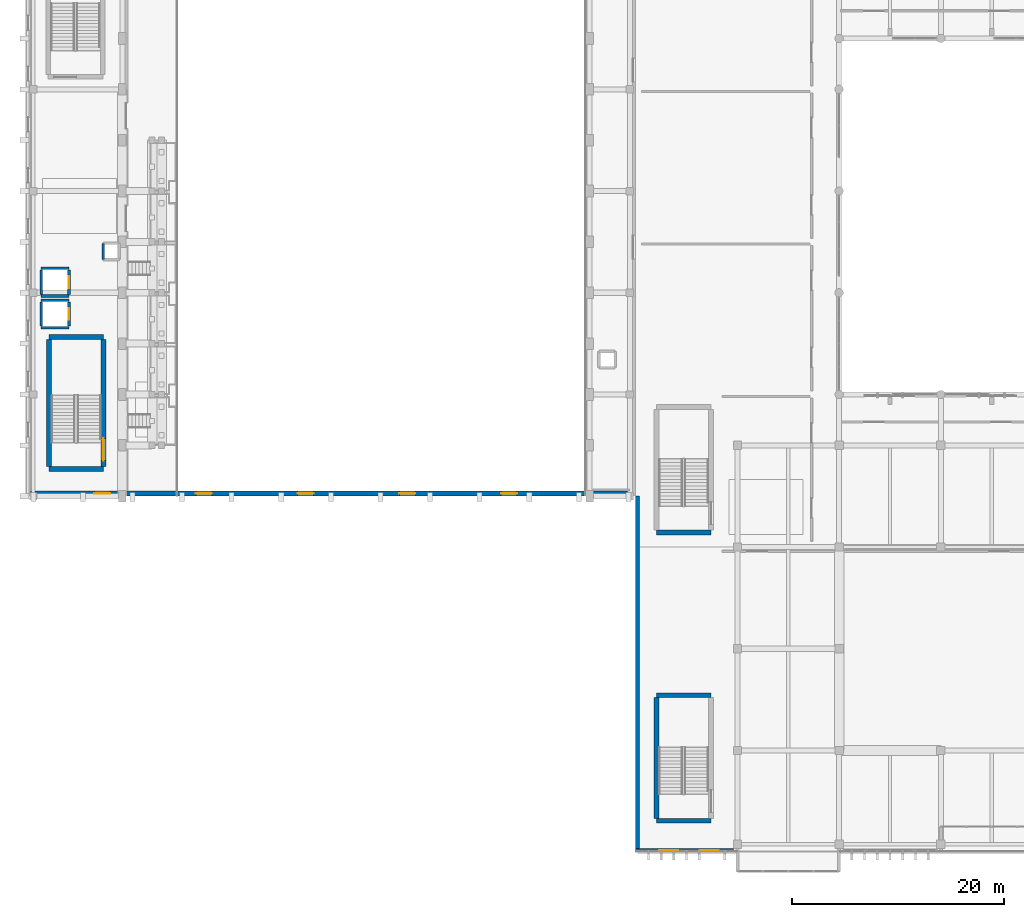
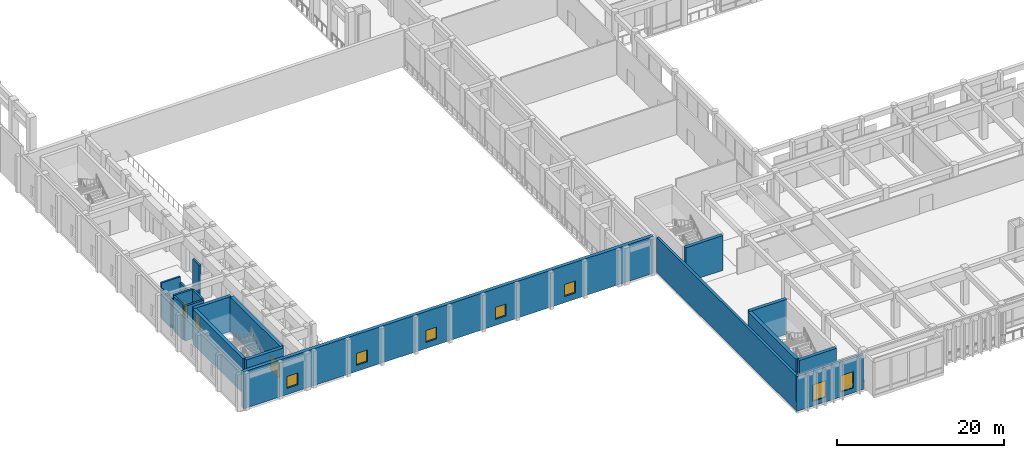
# One storey, part 101 of 134: 20 walls, 7 windows, 3 doors, 10 openings.
"""IFC4 building model written with IfcOpenShell, lengths in metres."""

from ifc_helpers import new_model, si_unit, direction, frame, frame_2d, origin, place, context, subcontext, project, spatial, rectangle, extrude, material, layer, layer_set, type_object, element, fill, save


model = new_model("IFC4")

# Units and contexts
model_context = context("Model", 3, precision=1e-05, world=origin(), true_north=direction((0.0, 1.0)))
body_context = subcontext(model_context, "Body", "Model", "MODEL_VIEW")
ifc_project = project(units=[si_unit("LENGTHUNIT", "METRE"), si_unit("AREAUNIT", "SQUARE_METRE"), si_unit("VOLUMEUNIT", "CUBIC_METRE"), si_unit("PLANEANGLEUNIT", "RADIAN"), si_unit("MASSUNIT", "GRAM", prefix="KILO")], contexts=[model_context])

# Site, building, storey
site_placement = place(None, origin())
site = spatial("IfcSite", under=ifc_project, at=site_placement, CompositionType="ELEMENT")
building_placement = place(site_placement, origin())
building = spatial("IfcBuilding", under=site, at=building_placement, Name="Nakhvara Creek Congress Hotel", CompositionType="ELEMENT")
storey_placement = place(building_placement, frame((0.0, 0.0, 6.0)))
storey = spatial("IfcBuildingStorey", under=building, at=storey_placement, Name="L01", CompositionType="ELEMENT", Elevation=6.0)

# Walls
ifc_material_1 = material(Name="Concrete C50/60", Category="concrete")
ifc_layer_1 = layer(ifc_material_1, 0.449951171875)
ifc_layer_set_1 = layer_set([ifc_layer_1], Name="Concrete C50/60")
wall_type_1 = type_object("IfcWallType", Name="W-CORE-450", PredefinedType="SHEAR", material=ifc_layer_set_1)
for number, where, z_axis, x_axis, name in (
    (1, (2.22998046875, 36.179931640625, 0.0), (0.0, 0.0, 1.0), (1.0, 0.0, 0.0), "Core Shear Wall WS02-CWALL-L01-0745"),
    (2, (2.22998046875, 48.6201171875, 0.0), (0.0, 0.0, 1.0), (1.0, 0.0, 0.0), "Core Shear Wall WS02-CWALL-L01-0746"),
):
    element("IfcWall", number, at=place(storey_placement, frame(where, z_axis=z_axis, x_axis=x_axis)), inside=storey, type_object=wall_type_1, Name=name, PredefinedType="SHEAR", context=body_context, shape_type="SweptSolid", body=[
        extrude(rectangle(XDim=5.14990234375, YDim=0.449951171875, at=frame_2d((2.574951171875, 0.0))), origin(), (0.0, 0.0, 1.0), 5.10009765625),
    ])
wall_1_placement = place(storey_placement, frame((2.22998046875, 36.39990234375, 0.0), z_axis=(0.0, 0.0, 1.0), x_axis=(0.0, 1.0, 0.0)))
element("IfcWall", 3, at=wall_1_placement, inside=storey, type_object=wall_type_1, Name="Core Shear Wall WS02-CWALL-L01-0747", PredefinedType="SHEAR", context=body_context, shape_type="SweptSolid", body=[
    extrude(rectangle(XDim=12.0, YDim=0.449951171875, at=frame_2d((6.0, 0.0))), origin(), (0.0, 0.0, 1.0), 5.10009765625),
])

# Wall, opening, door
wall_2_placement = place(storey_placement, frame((7.3798828125, 36.39990234375, 0.0), z_axis=(0.0, 0.0, 1.0), x_axis=(0.0, 1.0, 0.0)))
wall_2 = element("IfcWall", 4, at=wall_2_placement, inside=storey, type_object=wall_type_1, Name="Core Shear Wall WS02-CWALL-L01-0748", PredefinedType="SHEAR", context=body_context, shape_type="SweptSolid", body=[
    extrude(rectangle(XDim=12.0, YDim=0.449951171875, at=frame_2d((6.0, 0.0))), origin(), (0.0, 0.0, 1.0), 5.10009765625),
])
opening_1_placement = place(wall_2_placement, frame((0.550048828125, 0.0, 0.0)))
opening_1 = element("IfcOpeningElement", 5, at=opening_1_placement, cuts=wall_2, Name="Opening FD19", PredefinedType="OPENING", context=body_context, shape_type="SweptSolid", body=[
    extrude(rectangle(XDim=2.10009765625, YDim=2.199951171875, at=frame_2d((1.050048828125, 1.10009765625))), frame((0.0, 0.23681640625, 0.0), z_axis=(0.0, -1.0, 0.0), x_axis=(1.0, 0.0, 0.0)), (0.0, 0.0, 1.0), 0.473876953125),
])
ifc_material_2 = material(Name="Galvanised steel acoustic fire door", Category="steel")
door_type_1 = type_object("IfcDoorType", Name="DT-STAIR-220", OperationType="DOUBLE_DOOR_SINGLE_SWING", PredefinedType="DOOR", material=ifc_material_2)
door_1_placement = place(opening_1_placement, frame((2.10009765625, 0.0, 0.0), z_axis=(0.0, 0.0, 1.0), x_axis=(-1.0, 0.0, 0.0)))
door_1 = element("IfcDoor", 6, at=door_1_placement, inside=storey, type_object=door_type_1, Name="Stair Exit Door ST05-L01", OperationType="DOUBLE_DOOR_SINGLE_SWING", OverallHeight=2.199951171875, OverallWidth=2.10009765625, PredefinedType="DOOR", context=body_context, shape_type="SweptSolid", body=[
    extrude(rectangle(XDim=2.10009765625, YDim=2.199951171875, at=frame_2d((1.050048828125, 1.10009765625))), frame((0.0, 0.02490234375, 0.0), z_axis=(0.0, -1.0, 0.0), x_axis=(1.0, 0.0, 0.0)), (0.0, 0.0, 1.0), 0.050048828125),
])
fill(opening_1, door_1)

# Walls
for number, where, z_axis, x_axis, name in (
    (7, (59.550048828125, 2.97998046875, 0.0), (0.0, 0.0, 1.0), (1.0, 0.0, 0.0), "Core Shear Wall WS02-CWALL-L01-0947"),
    (8, (59.550048828125, 14.820068359375, 0.0), (0.0, 0.0, 1.0), (1.0, 0.0, 0.0), "Core Shear Wall WS02-CWALL-L01-0948"),
):
    element("IfcWall", number, at=place(storey_placement, frame(where, z_axis=z_axis, x_axis=x_axis)), inside=storey, type_object=wall_type_1, Name=name, PredefinedType="SHEAR", context=body_context, shape_type="SweptSolid", body=[
        extrude(rectangle(XDim=5.14990234375, YDim=0.449951171875, at=frame_2d((2.574951171875, 0.0))), origin(), (0.0, 0.0, 1.0), 5.10009765625),
    ])
wall_3_placement = place(storey_placement, frame((59.550048828125, 3.199951171875, 0.0), z_axis=(0.0, 0.0, 1.0), x_axis=(0.0, 1.0, 0.0)))
element("IfcWall", 9, at=wall_3_placement, inside=storey, type_object=wall_type_1, Name="Core Shear Wall WS02-CWALL-L01-0949", PredefinedType="SHEAR", context=body_context, shape_type="SweptSolid", body=[
    extrude(rectangle(XDim=11.400146484375, YDim=0.449951171875, at=frame_2d((5.7001953125, 0.0))), origin(), (0.0, 0.0, 1.0), 5.10009765625),
])
wall_4_placement = place(storey_placement, frame((59.550048828125, 30.179931640625, 0.0), z_axis=(0.0, 0.0, 1.0), x_axis=(1.0, 0.0, 0.0)))
element("IfcWall", 10, at=wall_4_placement, inside=storey, type_object=wall_type_1, Name="Core Shear Wall WS02-CWALL-L01-0991", PredefinedType="SHEAR", context=body_context, shape_type="SweptSolid", body=[
    extrude(rectangle(XDim=5.14990234375, YDim=0.449951171875, at=frame_2d((2.574951171875, 0.0))), origin(), (0.0, 0.0, 1.0), 5.10009765625),
])
ifc_material_3 = material(Name="Architectural GRC panel")
ifc_layer_2 = layer(ifc_material_3, 0.0400390625)
ifc_material_4 = material(Name="Mineral wool thermal insulation")
ifc_layer_3 = layer(ifc_material_4, 0.10009765625)
ifc_material_5 = material(Name="Precast concrete C40/50", Category="concrete")
ifc_layer_4 = layer(ifc_material_5, 0.199951171875)
ifc_layer_set_2 = layer_set([ifc_layer_2, ifc_layer_3, ifc_layer_4], Name="Precast concrete C40/50")
wall_type_2 = type_object("IfcWallType", Name="W-EXT-340", PredefinedType="SOLIDWALL", material=ifc_layer_set_2)
wall_5_placement = place(storey_placement, frame((57.77001953125, 0.14990234375, 0.0), z_axis=(0.0, 0.0, 1.0), x_axis=(0.0, 1.0, 0.0)))
element("IfcWall", 11, at=wall_5_placement, inside=storey, type_object=wall_type_2, Name="Exterior Wall WE04-EW-L01-0054", PredefinedType="SOLIDWALL", context=body_context, shape_type="SweptSolid", body=[
    extrude(rectangle(XDim=33.4501953125, YDim=0.340087890625, at=frame_2d((16.72509765625, 0.0))), origin(), (0.0, 0.0, 1.0), 5.10009765625),
])

# Wall, openings, windows
wall_6_placement = place(storey_placement, frame((66.8349609375, 0.169921875, 0.0), z_axis=(0.0, 0.0, 1.0), x_axis=(-1.0, 0.0, 0.0)))
wall_6 = element("IfcWall", 12, at=wall_6_placement, inside=storey, type_object=wall_type_2, Name="Exterior Wall WE04-EW-L01-0062", PredefinedType="SOLIDWALL", context=body_context, shape_type="SweptSolid", body=[
    extrude(rectangle(XDim=9.23486328125, YDim=0.340087890625, at=frame_2d((4.617431640625, 0.0))), origin(), (0.0, 0.0, 1.0), 5.10009765625),
])
opening_2_placement = place(wall_6_placement, frame((1.39990234375, 0.0, 0.699951171875)))
opening_2 = element("IfcOpeningElement", 13, at=opening_2_placement, cuts=wall_6, Name="Opening WN0063", PredefinedType="OPENING", context=body_context, shape_type="SweptSolid", body=[
    extrude(rectangle(XDim=1.800048828125, YDim=2.39990234375, at=frame_2d((0.89990234375, 1.199951171875))), frame((0.0, 0.18212890625, 0.0), z_axis=(0.0, -1.0, 0.0), x_axis=(1.0, 0.0, 0.0)), (0.0, 0.0, 1.0), 0.364013671875),
])
opening_3_placement = place(wall_6_placement, frame((5.199951171875, 0.0, 0.699951171875)))
opening_3 = element("IfcOpeningElement", 14, at=opening_3_placement, cuts=wall_6, Name="Opening WN0064", PredefinedType="OPENING", context=body_context, shape_type="SweptSolid", body=[
    extrude(rectangle(XDim=1.800048828125, YDim=2.39990234375, at=frame_2d((0.89990234375, 1.199951171875))), frame((0.0, 0.18212890625, 0.0), z_axis=(0.0, -1.0, 0.0), x_axis=(1.0, 0.0, 0.0)), (0.0, 0.0, 1.0), 0.364013671875),
])
ifc_material_6 = material(Name="Thermally broken bronze-anodised aluminium and double-silver low-E insulated glass", Category="aluminium")
window_type_1 = type_object("IfcWindowType", Name="WN-SPA-180X240", PartitioningType="SINGLE_PANEL", PredefinedType="WINDOW", material=ifc_material_6)
window_1_placement = place(opening_2_placement, origin())
window_1 = element("IfcWindow", 15, at=window_1_placement, inside=storey, type_object=window_type_1, Name="Facade Window WN0063", OverallHeight=2.39990234375, OverallWidth=1.800048828125, PartitioningType="SINGLE_PANEL", PredefinedType="WINDOW", context=body_context, shape_type="SweptSolid", body=[
    extrude(rectangle(XDim=1.800048828125, YDim=2.39990234375, at=frame_2d((0.89990234375, 1.199951171875))), frame((0.0, 0.030029296875, 0.0), z_axis=(0.0, -1.0, 0.0), x_axis=(1.0, 0.0, 0.0)), (0.0, 0.0, 1.0), 0.06005859375),
])
fill(opening_2, window_1)
window_2_placement = place(opening_3_placement, origin())
window_2 = element("IfcWindow", 16, at=window_2_placement, inside=storey, type_object=window_type_1, Name="Facade Window WN0064", OverallHeight=2.39990234375, OverallWidth=1.800048828125, PartitioningType="SINGLE_PANEL", PredefinedType="WINDOW", context=body_context, shape_type="SweptSolid", body=[
    extrude(rectangle(XDim=1.800048828125, YDim=2.39990234375, at=frame_2d((0.89990234375, 1.199951171875))), frame((0.0, 0.030029296875, 0.0), z_axis=(0.0, -1.0, 0.0), x_axis=(1.0, 0.0, 0.0)), (0.0, 0.0, 1.0), 0.06005859375),
])
fill(opening_3, window_2)

ifc_material_7 = material(Name="Honed pale Omani limestone cladding", Category="masonry")
ifc_layer_5 = layer(ifc_material_7, 0.06005859375)
ifc_layer_6 = layer(ifc_material_4, 0.1201171875)
ifc_layer_7 = layer(ifc_material_5, 0.300048828125)
ifc_layer_set_3 = layer_set([ifc_layer_5, ifc_layer_6, ifc_layer_7], Name="Precast concrete C40/50")
wall_type_3 = type_object("IfcWallType", Name="W-HALL-480", PredefinedType="SOLIDWALL", material=ifc_layer_set_3)
wall_7_placement = place(storey_placement, frame((0.5, 33.840087890625, 0.0), z_axis=(0.0, 0.0, 1.0), x_axis=(1.0, 0.0, 0.0)))
wall_7 = element("IfcWall", 17, at=wall_7_placement, inside=storey, type_object=wall_type_3, Name="Exterior Wall WE01-EW-L01-0039", PredefinedType="SOLIDWALL", context=body_context, shape_type="SweptSolid", body=[
    extrude(rectangle(XDim=56.699951171875, YDim=0.47998046875, at=frame_2d((28.35009765625, 0.0))), origin(), (0.0, 0.0, 1.0), 5.39990234375),
])
opening_4_placement = place(wall_7_placement, frame((6.0, 0.0, 0.89990234375)))
opening_4 = element("IfcOpeningElement", 18, at=opening_4_placement, cuts=wall_7, Name="Opening WN0041", PredefinedType="OPENING", context=body_context, shape_type="SweptSolid", body=[
    extrude(rectangle(XDim=1.5, YDim=1.739990234375, at=frame_2d((0.75, 0.8701171875))), frame((0.0, 0.251953125, 0.0), z_axis=(0.0, -1.0, 0.0), x_axis=(1.0, 0.0, 0.0)), (0.0, 0.0, 1.0), 0.50390625),
])
opening_5_placement = place(wall_7_placement, frame((15.60009765625, 0.0, 0.89990234375)))
opening_5 = element("IfcOpeningElement", 19, at=opening_5_placement, cuts=wall_7, Name="Opening WN0042", PredefinedType="OPENING", context=body_context, shape_type="SweptSolid", body=[
    extrude(rectangle(XDim=1.5, YDim=1.739990234375, at=frame_2d((0.75, 0.8701171875))), frame((0.0, 0.251953125, 0.0), z_axis=(0.0, -1.0, 0.0), x_axis=(1.0, 0.0, 0.0)), (0.0, 0.0, 1.0), 0.50390625),
])
opening_6_placement = place(wall_7_placement, frame((25.199951171875, 0.0, 0.89990234375)))
opening_6 = element("IfcOpeningElement", 20, at=opening_6_placement, cuts=wall_7, Name="Opening WN0043", PredefinedType="OPENING", context=body_context, shape_type="SweptSolid", body=[
    extrude(rectangle(XDim=1.5, YDim=1.739990234375, at=frame_2d((0.75, 0.8701171875))), frame((0.0, 0.251953125, 0.0), z_axis=(0.0, -1.0, 0.0), x_axis=(1.0, 0.0, 0.0)), (0.0, 0.0, 1.0), 0.50390625),
])
opening_7_placement = place(wall_7_placement, frame((34.800048828125, 0.0, 0.89990234375)))
opening_7 = element("IfcOpeningElement", 21, at=opening_7_placement, cuts=wall_7, Name="Opening WN0044", PredefinedType="OPENING", context=body_context, shape_type="SweptSolid", body=[
    extrude(rectangle(XDim=1.5, YDim=1.739990234375, at=frame_2d((0.75, 0.8701171875))), frame((0.0, 0.251953125, 0.0), z_axis=(0.0, -1.0, 0.0), x_axis=(1.0, 0.0, 0.0)), (0.0, 0.0, 1.0), 0.50390625),
])
opening_8_placement = place(wall_7_placement, frame((44.39990234375, 0.0, 0.89990234375)))
opening_8 = element("IfcOpeningElement", 22, at=opening_8_placement, cuts=wall_7, Name="Opening WN0045", PredefinedType="OPENING", context=body_context, shape_type="SweptSolid", body=[
    extrude(rectangle(XDim=1.5, YDim=1.739990234375, at=frame_2d((0.75, 0.8701171875))), frame((0.0, 0.251953125, 0.0), z_axis=(0.0, -1.0, 0.0), x_axis=(1.0, 0.0, 0.0)), (0.0, 0.0, 1.0), 0.50390625),
])
window_type_2 = type_object("IfcWindowType", Name="WN-LAN-150X220", PartitioningType="SINGLE_PANEL", PredefinedType="WINDOW", material=ifc_material_6)
window_3_placement = place(opening_4_placement, origin())
window_3 = element("IfcWindow", 23, at=window_3_placement, inside=storey, type_object=window_type_2, Name="Facade Window WN0041", OverallHeight=1.739990234375, OverallWidth=1.5, PartitioningType="SINGLE_PANEL", PredefinedType="WINDOW", context=body_context, shape_type="SweptSolid", body=[
    extrude(rectangle(XDim=1.5, YDim=1.739990234375, at=frame_2d((0.75, 0.8701171875))), frame((0.0, 0.030029296875, 0.0), z_axis=(0.0, -1.0, 0.0), x_axis=(1.0, 0.0, 0.0)), (0.0, 0.0, 1.0), 0.06005859375),
])
fill(opening_4, window_3)
window_4_placement = place(opening_5_placement, origin())
window_4 = element("IfcWindow", 24, at=window_4_placement, inside=storey, type_object=window_type_2, Name="Facade Window WN0042", OverallHeight=1.739990234375, OverallWidth=1.5, PartitioningType="SINGLE_PANEL", PredefinedType="WINDOW", context=body_context, shape_type="SweptSolid", body=[
    extrude(rectangle(XDim=1.5, YDim=1.739990234375, at=frame_2d((0.75, 0.8701171875))), frame((0.0, 0.030029296875, 0.0), z_axis=(0.0, -1.0, 0.0), x_axis=(1.0, 0.0, 0.0)), (0.0, 0.0, 1.0), 0.06005859375),
])
fill(opening_5, window_4)
window_5_placement = place(opening_6_placement, origin())
window_5 = element("IfcWindow", 25, at=window_5_placement, inside=storey, type_object=window_type_2, Name="Facade Window WN0043", OverallHeight=1.739990234375, OverallWidth=1.5, PartitioningType="SINGLE_PANEL", PredefinedType="WINDOW", context=body_context, shape_type="SweptSolid", body=[
    extrude(rectangle(XDim=1.5, YDim=1.739990234375, at=frame_2d((0.75, 0.8701171875))), frame((0.0, 0.030029296875, 0.0), z_axis=(0.0, -1.0, 0.0), x_axis=(1.0, 0.0, 0.0)), (0.0, 0.0, 1.0), 0.06005859375),
])
fill(opening_6, window_5)
window_6_placement = place(opening_7_placement, origin())
window_6 = element("IfcWindow", 26, at=window_6_placement, inside=storey, type_object=window_type_2, Name="Facade Window WN0044", OverallHeight=1.739990234375, OverallWidth=1.5, PartitioningType="SINGLE_PANEL", PredefinedType="WINDOW", context=body_context, shape_type="SweptSolid", body=[
    extrude(rectangle(XDim=1.5, YDim=1.739990234375, at=frame_2d((0.75, 0.8701171875))), frame((0.0, 0.030029296875, 0.0), z_axis=(0.0, -1.0, 0.0), x_axis=(1.0, 0.0, 0.0)), (0.0, 0.0, 1.0), 0.06005859375),
])
fill(opening_7, window_6)
window_7_placement = place(opening_8_placement, origin())
window_7 = element("IfcWindow", 27, at=window_7_placement, inside=storey, type_object=window_type_2, Name="Facade Window WN0045", OverallHeight=1.739990234375, OverallWidth=1.5, PartitioningType="SINGLE_PANEL", PredefinedType="WINDOW", context=body_context, shape_type="SweptSolid", body=[
    extrude(rectangle(XDim=1.5, YDim=1.739990234375, at=frame_2d((0.75, 0.8701171875))), frame((0.0, 0.030029296875, 0.0), z_axis=(0.0, -1.0, 0.0), x_axis=(1.0, 0.0, 0.0)), (0.0, 0.0, 1.0), 0.06005859375),
])
fill(opening_8, window_7)

# Walls
ifc_material_8 = material(Name="Concrete C40/50", Category="concrete")
ifc_layer_8 = layer(ifc_material_8, 0.25)
ifc_layer_set_4 = layer_set([ifc_layer_8], Name="Concrete C40/50")
wall_type_4 = type_object("IfcWallType", Name="W-SHAFT-250", PredefinedType="SOLIDWALL", material=ifc_layer_set_4)
for number, where, z_axis, x_axis, name in (
    (28, (1.489990234375, 49.489990234375, 0.0), (0.0, 0.0, 1.0), (1.0, 0.0, 0.0), "Core Shear Wall WI02-CWALL-L01-0749"),
    (29, (1.489990234375, 52.110107421875, 0.0), (0.0, 0.0, 1.0), (1.0, 0.0, 0.0), "Core Shear Wall WI02-CWALL-L01-0750"),
):
    element("IfcWall", number, at=place(storey_placement, frame(where, z_axis=z_axis, x_axis=x_axis)), inside=storey, type_object=wall_type_4, Name=name, PredefinedType="SOLIDWALL", context=body_context, shape_type="SweptSolid", body=[
        extrude(rectangle(XDim=2.6201171875, YDim=0.25, at=frame_2d((1.31005859375, 0.0))), origin(), (0.0, 0.0, 1.0), 5.10009765625),
    ])
wall_8_placement = place(storey_placement, frame((1.489990234375, 49.64990234375, 0.0), z_axis=(0.0, 0.0, 1.0), x_axis=(0.0, 1.0, 0.0)))
element("IfcWall", 30, at=wall_8_placement, inside=storey, type_object=wall_type_4, Name="Core Shear Wall WI02-CWALL-L01-0751", PredefinedType="SOLIDWALL", context=body_context, shape_type="SweptSolid", body=[
    extrude(rectangle(XDim=2.300048828125, YDim=0.25, at=frame_2d((1.14990234375, 0.0))), origin(), (0.0, 0.0, 1.0), 5.10009765625),
])

# Wall, opening, door
wall_9_placement = place(storey_placement, frame((4.110107421875, 49.64990234375, 0.0), z_axis=(0.0, 0.0, 1.0), x_axis=(0.0, 1.0, 0.0)))
wall_9 = element("IfcWall", 31, at=wall_9_placement, inside=storey, type_object=wall_type_4, Name="Core Shear Wall WI02-CWALL-L01-0752", PredefinedType="SOLIDWALL", context=body_context, shape_type="SweptSolid", body=[
    extrude(rectangle(XDim=2.300048828125, YDim=0.25, at=frame_2d((1.14990234375, 0.0))), origin(), (0.0, 0.0, 1.0), 5.10009765625),
])
opening_9_placement = place(wall_9_placement, frame((0.60009765625, 0.0, 0.0)))
opening_9 = element("IfcOpeningElement", 32, at=opening_9_placement, cuts=wall_9, Name="Opening LD01", PredefinedType="OPENING", context=body_context, shape_type="SweptSolid", body=[
    extrude(rectangle(XDim=1.10009765625, YDim=2.199951171875, at=frame_2d((0.550048828125, 1.10009765625))), frame((0.0, 0.136962890625, 0.0), z_axis=(0.0, -1.0, 0.0), x_axis=(1.0, 0.0, 0.0)), (0.0, 0.0, 1.0), 0.27392578125),
])
ifc_material_9 = material(Name="Brushed stainless steel sliding landing door", Category="steel")
door_type_2 = type_object("IfcDoorType", Name="DT-LIFT-110", OperationType="DOUBLE_DOOR_SLIDING", PredefinedType="DOOR", material=ifc_material_9)
door_2_placement = place(opening_9_placement, origin())
door_2 = element("IfcDoor", 33, at=door_2_placement, inside=storey, type_object=door_type_2, Name="Landing Door CL01-L01", OperationType="SLIDING_TO_LEFT", OverallHeight=2.199951171875, OverallWidth=1.10009765625, PredefinedType="DOOR", context=body_context, shape_type="SweptSolid", body=[
    extrude(rectangle(XDim=1.10009765625, YDim=2.199951171875, at=frame_2d((0.550048828125, 1.10009765625))), frame((0.0, 0.02490234375, 0.0), z_axis=(0.0, -1.0, 0.0), x_axis=(1.0, 0.0, 0.0)), (0.0, 0.0, 1.0), 0.050048828125),
])
fill(opening_9, door_2)

# Walls
wall_10_placement = place(storey_placement, frame((1.489990234375, 52.489990234375, 0.0), z_axis=(0.0, 0.0, 1.0), x_axis=(1.0, 0.0, 0.0)))
element("IfcWall", 34, at=wall_10_placement, inside=storey, type_object=wall_type_4, Name="Core Shear Wall WI02-CWALL-L01-0753", PredefinedType="SOLIDWALL", context=body_context, shape_type="SweptSolid", body=[
    extrude(rectangle(XDim=2.6201171875, YDim=0.25, at=frame_2d((1.31005859375, 0.0))), origin(), (0.0, 0.0, 1.0), 4.31201171875),
])
wall_11_placement = place(storey_placement, frame((1.489990234375, 55.110107421875, 0.0), z_axis=(0.0, 0.0, 1.0), x_axis=(1.0, 0.0, 0.0)))
element("IfcWall", 35, at=wall_11_placement, inside=storey, type_object=wall_type_4, Name="Core Shear Wall WI02-CWALL-L01-0754", PredefinedType="SOLIDWALL", context=body_context, shape_type="SweptSolid", body=[
    extrude(rectangle(XDim=2.6201171875, YDim=0.25, at=frame_2d((1.31005859375, 0.0))), origin(), (0.0, 0.0, 1.0), 5.10009765625),
])
wall_12_placement = place(storey_placement, frame((1.489990234375, 52.64990234375, 0.0), z_axis=(0.0, 0.0, 1.0), x_axis=(0.0, 1.0, 0.0)))
element("IfcWall", 36, at=wall_12_placement, inside=storey, type_object=wall_type_4, Name="Core Shear Wall WI02-CWALL-L01-0755", PredefinedType="SOLIDWALL", context=body_context, shape_type="SweptSolid", body=[
    extrude(rectangle(XDim=2.300048828125, YDim=0.25, at=frame_2d((1.14990234375, 0.0))), origin(), (0.0, 0.0, 1.0), 4.31201171875),
])

# Wall, opening, door
wall_13_placement = place(storey_placement, frame((4.110107421875, 52.64990234375, 0.0), z_axis=(0.0, 0.0, 1.0), x_axis=(0.0, 1.0, 0.0)))
wall_13 = element("IfcWall", 37, at=wall_13_placement, inside=storey, type_object=wall_type_4, Name="Core Shear Wall WI02-CWALL-L01-0756", PredefinedType="SOLIDWALL", context=body_context, shape_type="SweptSolid", body=[
    extrude(rectangle(XDim=2.300048828125, YDim=0.25, at=frame_2d((1.14990234375, 0.0))), origin(), (0.0, 0.0, 1.0), 4.31201171875),
])
opening_10_placement = place(wall_13_placement, frame((0.60009765625, 0.0, 0.0)))
opening_10 = element("IfcOpeningElement", 38, at=opening_10_placement, cuts=wall_13, Name="Opening LD01", PredefinedType="OPENING", context=body_context, shape_type="SweptSolid", body=[
    extrude(rectangle(XDim=1.10009765625, YDim=2.199951171875, at=frame_2d((0.550048828125, 1.10009765625))), frame((0.0, 0.136962890625, 0.0), z_axis=(0.0, -1.0, 0.0), x_axis=(1.0, 0.0, 0.0)), (0.0, 0.0, 1.0), 0.27392578125),
])
door_3_placement = place(opening_10_placement, origin())
door_3 = element("IfcDoor", 39, at=door_3_placement, inside=storey, type_object=door_type_2, Name="Landing Door CL02-L01", OperationType="SLIDING_TO_LEFT", OverallHeight=2.199951171875, OverallWidth=1.10009765625, PredefinedType="DOOR", context=body_context, shape_type="SweptSolid", body=[
    extrude(rectangle(XDim=1.10009765625, YDim=2.199951171875, at=frame_2d((0.550048828125, 1.10009765625))), frame((0.0, 0.02490234375, 0.0), z_axis=(0.0, -1.0, 0.0), x_axis=(1.0, 0.0, 0.0)), (0.0, 0.0, 1.0), 0.050048828125),
])
fill(opening_10, door_3)

# Wall
wall_14_placement = place(storey_placement, frame((7.340087890625, 57.4599609375, 0.0), z_axis=(0.0, 0.0, 1.0), x_axis=(0.0, -1.0, 0.0)))
element("IfcWall", 40, at=wall_14_placement, inside=storey, type_object=wall_type_4, Name="MEP Riser Enclosure Wall L01-004", PredefinedType="SOLIDWALL", context=body_context, shape_type="SweptSolid", body=[
    extrude(rectangle(XDim=1.52001953125, YDim=0.25, at=frame_2d((0.760009765625, 0.0))), origin(), (0.0, 0.0, 1.0), 5.10009765625),
])

save(model, "model.ifc")
